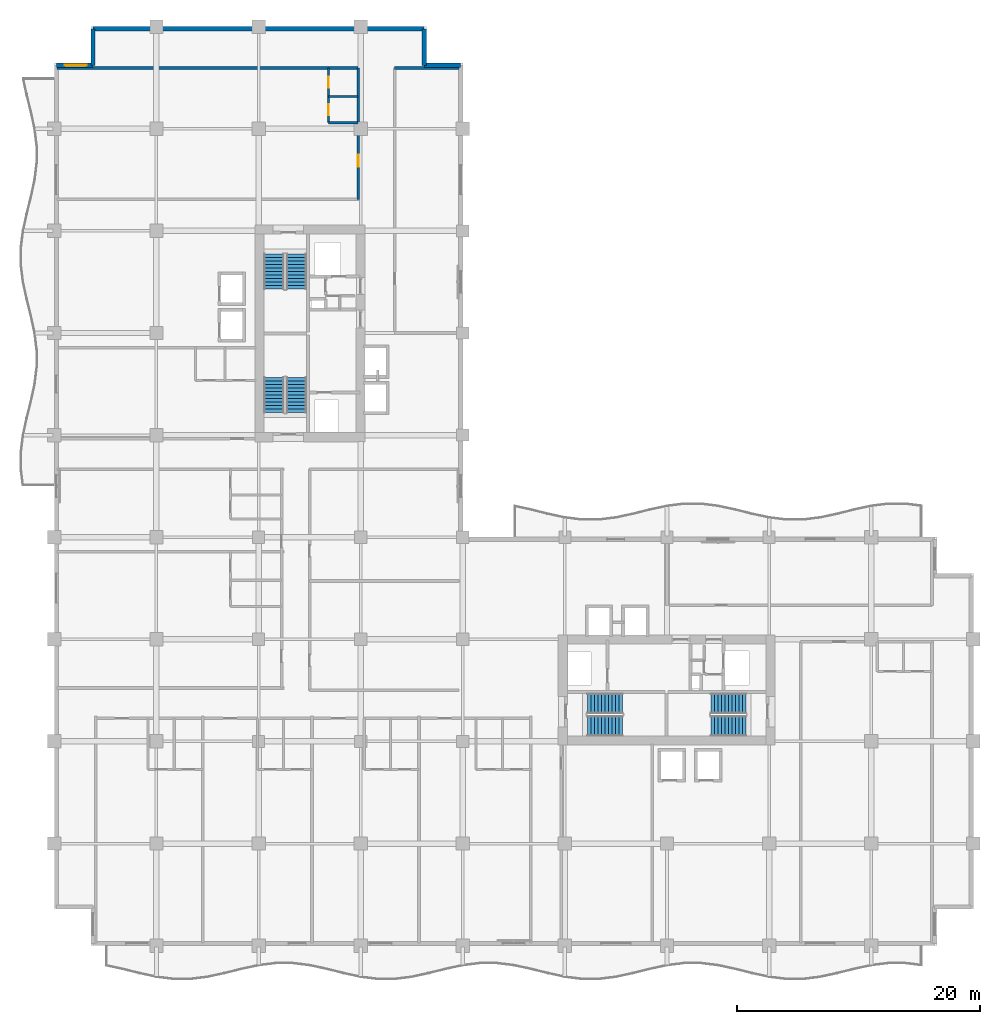
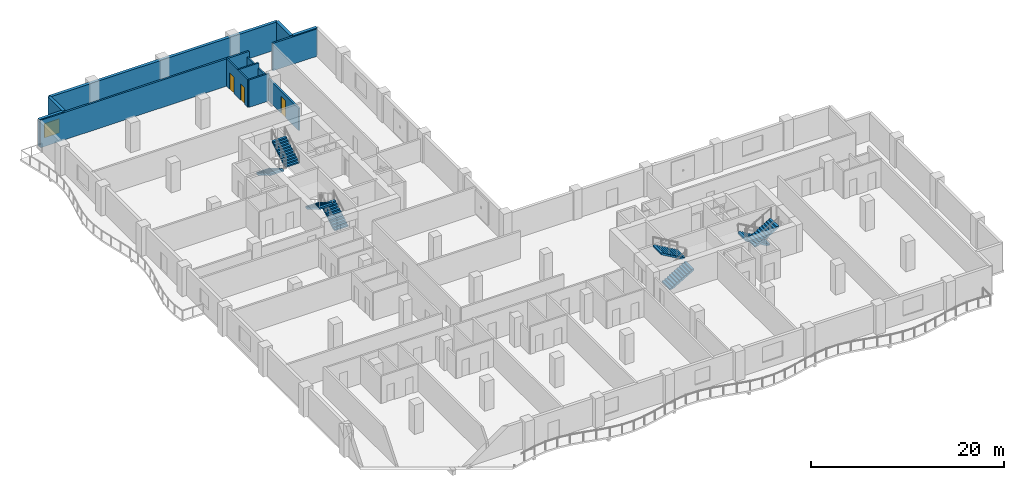
# One storey, part 10 of 16: 11 walls, 8 stair flights, 3 doors, 1 window, 4 openings, 4 elements without a shape of their own.
"""IFC4 building model written with IfcOpenShell, lengths in metres."""

from ifc_helpers import new_model, si_unit, direction, frame, frame_2d, origin, place, context, subcontext, project, spatial, polyline, rectangle, outline, extrude, material, layer, layer_set, type_object, element, fill, aggregate, save


model = new_model("IFC4")

# Units and contexts
model_context = context("Model", 3, precision=1e-05, world=origin(), true_north=direction((0.0, 1.0)))
body_context = subcontext(model_context, "Body", "Model", "MODEL_VIEW")
ifc_project = project(units=[si_unit("LENGTHUNIT", "METRE"), si_unit("AREAUNIT", "SQUARE_METRE"), si_unit("VOLUMEUNIT", "CUBIC_METRE"), si_unit("PLANEANGLEUNIT", "RADIAN"), si_unit("MASSUNIT", "GRAM", prefix="KILO")], contexts=[model_context])

# Site, building, storey
site_placement = place(None, origin())
site = spatial("IfcSite", under=ifc_project, at=site_placement, CompositionType="ELEMENT")
building_placement = place(site_placement, origin())
building = spatial("IfcBuilding", under=site, at=building_placement, Name="Koriwani Terraces Tower", CompositionType="ELEMENT")
storey_placement = place(building_placement, frame((0.0, 0.0, 171.699951171875)))
storey = spatial("IfcBuildingStorey", under=building, at=storey_placement, Name="L41", CompositionType="ELEMENT", Elevation=171.699951171875)

# Wall, opening, door
ifc_material_1 = material(Name="Autoclaved Cellular Concrete Blockwork", Category="masonry")
ifc_layer_1 = layer(ifc_material_1, 0.199951171875, Name="Autoclaved Cellular Concrete Blockwork")
ifc_layer_set_1 = layer_set([ifc_layer_1], Name="Autoclaved Cellular Concrete Blockwork")
wall_type_1 = type_object("IfcWallType", Name="WALL_CORRIDOR_200", PredefinedType="PARTITIONING", material=ifc_layer_set_1)
wall_1_placement = place(storey_placement, frame((25.0, 61.39990234375, 0.0), z_axis=(0.0, 0.0, 1.0), x_axis=(0.0, 1.0, 0.0)))
wall_1 = element("IfcWall", 1, at=wall_1_placement, inside=storey, type_object=wall_type_1, Name="L41 Interior Wall WRCOR-L41-NE-0", PredefinedType="PARTITIONING", context=body_context, shape_type="SweptSolid", body=[
    extrude(rectangle(XDim=10.800048828125, YDim=0.199951171875, at=frame_2d((5.39990234375, 0.0))), origin(), (0.0, 0.0, 1.0), 2.820068359375),
])
opening_1_placement = place(wall_1_placement, frame((2.669921875, 0.0, 0.0)))
opening_1 = element("IfcOpeningElement", 2, at=opening_1_placement, cuts=wall_1, Name="Opening D-05", PredefinedType="OPENING", context=body_context, shape_type="SweptSolid", body=[
    extrude(rectangle(XDim=1.0, YDim=2.14990234375, at=frame_2d((0.5, 1.074951171875))), frame((0.0, 0.10986328125, 0.0), z_axis=(0.0, -1.0, 0.0), x_axis=(1.0, 0.0, 0.0)), (0.0, 0.0, 1.0), 0.219970703125),
])
ifc_material_2 = material(Name="Architectural Oak Fire Door", Category="wood")
door_type_1 = type_object("IfcDoorType", Name="DOOR_SUITE_ENTRY_1000X2150", OperationType="NOTDEFINED", PredefinedType="DOOR", material=ifc_material_2)
door_1_placement = place(opening_1_placement, origin())
door_1 = element("IfcDoor", 3, at=door_1_placement, inside=storey, type_object=door_type_1, Name="Apartment 41NE1 Entrance Door", OperationType="SINGLE_SWING_LEFT", OverallHeight=2.14990234375, OverallWidth=1.0, PredefinedType="DOOR", context=body_context, shape_type="SweptSolid", body=[
    extrude(rectangle(XDim=1.0, YDim=2.14990234375, at=frame_2d((0.5, 1.074951171875))), frame((0.0, 0.02490234375, 0.0), z_axis=(0.0, -1.0, 0.0), x_axis=(1.0, 0.0, 0.0)), (0.0, 0.0, 1.0), 0.050048828125),
])
fill(opening_1, door_1)

# Walls
ifc_layer_2 = layer(ifc_material_1, 0.219970703125, Name="Autoclaved Cellular Concrete Blockwork")
ifc_layer_set_2 = layer_set([ifc_layer_2], Name="Autoclaved Cellular Concrete Blockwork")
wall_type_2 = type_object("IfcWallType", Name="WALL_DEMISING_220", PredefinedType="PARTITIONING", material=ifc_layer_set_2)
wall_2_placement = place(storey_placement, frame((0.199951171875, 72.199951171875, 0.0), z_axis=(0.0, 0.0, 1.0), x_axis=(1.0, 0.0, 0.0)))
element("IfcWall", 4, at=wall_2_placement, inside=storey, type_object=wall_type_2, Name="L41 Interior Wall WRDEME-L41-NE", PredefinedType="PARTITIONING", context=body_context, shape_type="SweptSolid", body=[
    extrude(rectangle(XDim=24.97998046875, YDim=0.219970703125, at=frame_2d((12.489990234375, 0.0))), origin(), (0.0, 0.0, 1.0), 3.469970703125),
])
wall_3_placement = place(storey_placement, frame((28.0, 72.199951171875, 0.0), z_axis=(0.0, 0.0, 1.0), x_axis=(1.0, 0.0, 0.0)))
element("IfcWall", 5, at=wall_3_placement, inside=storey, type_object=wall_type_2, Name="L41 Interior Wall WNEC-N-L41", PredefinedType="PARTITIONING", context=body_context, shape_type="SweptSolid", body=[
    extrude(rectangle(XDim=5.300048828125, YDim=0.219970703125, at=frame_2d((2.64990234375, 0.0))), origin(), (0.0, 0.0, 1.0), 3.469970703125),
])

# Wall, opening, window
ifc_material_3 = material(Name="Concrete C50/60", Category="concrete")
ifc_layer_3 = layer(ifc_material_3, 0.35009765625, Name="Concrete C50/60")
ifc_layer_set_3 = layer_set([ifc_layer_3], Name="Concrete C50/60")
wall_type_3 = type_object("IfcWallType", Name="WALL_EXT_BRUTALIST_350", PredefinedType="STANDARD", material=ifc_layer_set_3)
wall_4_placement = place(storey_placement, frame((0.175048828125, 72.425048828125, 0.0), z_axis=(0.0, 0.0, 1.0), x_axis=(1.0, 0.0, 0.0)))
wall_4 = element("IfcWall", 6, at=wall_4_placement, inside=storey, type_object=wall_type_3, Name="L41 Fair-Faced Brutalist Exterior Wall (N3)", PredefinedType="STANDARD", context=body_context, shape_type="SweptSolid", body=[
    extrude(rectangle(XDim=3.0, YDim=0.35009765625, at=frame_2d((1.5, 0.0))), origin(), (0.0, 0.0, 1.0), 3.469970703125),
])
opening_2_placement = place(wall_4_placement, frame((0.677490234375, 0.0, 0.85009765625)))
opening_2 = element("IfcOpeningElement", 7, at=opening_2_placement, cuts=wall_4, Name="Opening W-04", PredefinedType="OPENING", context=body_context, shape_type="SweptSolid", body=[
    extrude(rectangle(XDim=1.800048828125, YDim=1.800048828125, at=frame_2d((0.89990234375, 0.89990234375))), frame((0.0, 0.18505859375, 0.0), z_axis=(0.0, -1.0, 0.0), x_axis=(1.0, 0.0, 0.0)), (0.0, 0.0, 1.0), 0.3701171875),
])
ifc_material_4 = material(Name="Tempered Laminated Low-E Glass", Category="glass")
window_type = type_object("IfcWindowType", Name="WIN_RES_BED_1800X1800", PartitioningType="DOUBLE_PANEL_VERTICAL", PredefinedType="WINDOW", material=ifc_material_4)
window_placement = place(opening_2_placement, origin())
window = element("IfcWindow", 8, at=window_placement, inside=storey, type_object=window_type, Name="L41 Exterior Window (N3-R52)", OverallHeight=1.800048828125, OverallWidth=1.800048828125, PartitioningType="SINGLE_PANEL", PredefinedType="WINDOW", context=body_context, shape_type="SweptSolid", body=[
    extrude(rectangle(XDim=1.800048828125, YDim=1.800048828125, at=frame_2d((0.89990234375, 0.89990234375))), frame((0.0, 0.030029296875, 0.0), z_axis=(0.0, -1.0, 0.0), x_axis=(1.0, 0.0, 0.0)), (0.0, 0.0, 1.0), 0.06005859375),
])
fill(opening_2, window)

# Walls
wall_5_placement = place(storey_placement, frame((3.175048828125, 72.425048828125, 0.0), z_axis=(0.0, 0.0, 1.0), x_axis=(0.0, 1.0, 0.0)))
element("IfcWall", 9, at=wall_5_placement, inside=storey, type_object=wall_type_3, Name="L41 Fair-Faced Brutalist Exterior Wall (N4)", PredefinedType="STANDARD", context=body_context, shape_type="SweptSolid", body=[
    extrude(rectangle(XDim=3.0, YDim=0.35009765625, at=frame_2d((1.5, 0.0))), origin(), (0.0, 0.0, 1.0), 3.469970703125),
])
wall_6_placement = place(storey_placement, frame((3.175048828125, 75.425048828125, 0.0), z_axis=(0.0, 0.0, 1.0), x_axis=(1.0, 0.0, 0.0)))
element("IfcWall", 10, at=wall_6_placement, inside=storey, type_object=wall_type_3, Name="L41 Fair-Faced Brutalist Exterior Wall (N_TIP)", PredefinedType="STANDARD", context=body_context, shape_type="SweptSolid", body=[
    extrude(rectangle(XDim=27.25, YDim=0.35009765625, at=frame_2d((13.625, 0.0))), origin(), (0.0, 0.0, 1.0), 3.469970703125),
])
for number, where, z_axis, x_axis, name in (
    (11, (30.425048828125, 75.425048828125, 0.0), (0.0, 0.0, 1.0), (0.0, -1.0, 0.0), "L41 Fair-Faced Brutalist Exterior Wall (N6)"),
    (12, (30.425048828125, 72.425048828125, 0.0), (0.0, 0.0, 1.0), (1.0, 0.0, 0.0), "L41 Fair-Faced Brutalist Exterior Wall (N7)"),
):
    element("IfcWall", number, at=place(storey_placement, frame(where, z_axis=z_axis, x_axis=x_axis)), inside=storey, type_object=wall_type_3, Name=name, PredefinedType="STANDARD", context=body_context, shape_type="SweptSolid", body=[
        extrude(rectangle(XDim=3.0, YDim=0.35009765625, at=frame_2d((1.5, 0.0))), origin(), (0.0, 0.0, 1.0), 3.469970703125),
    ])

# Wall, openings, doors
ifc_material_5 = material(Name="Fire-Rated Acoustic Gypsum Partition", Category="masonry")
ifc_layer_4 = layer(ifc_material_5, 0.179931640625, Name="Fire-Rated Acoustic Gypsum Partition")
ifc_layer_set_4 = layer_set([ifc_layer_4], Name="Fire-Rated Acoustic Gypsum Partition")
wall_type_4 = type_object("IfcWallType", Name="WALL_PLUMBING_180", PredefinedType="PLUMBINGWALL", material=ifc_layer_set_4)
wall_7_placement = place(storey_placement, frame((22.550048828125, 67.699951171875, 0.0), z_axis=(0.0, 0.0, 1.0), x_axis=(0.0, 1.0, 0.0)))
wall_7 = element("IfcWall", 13, at=wall_7_placement, inside=storey, type_object=wall_type_4, Name="L41 Interior Wall WRSVC-L41-NE-0", PredefinedType="PLUMBINGWALL", context=body_context, shape_type="SweptSolid", body=[
    extrude(rectangle(XDim=4.5, YDim=0.179931640625, at=frame_2d((2.25, 0.0))), origin(), (0.0, 0.0, 1.0), 3.469970703125),
])
opening_3_placement = place(wall_7_placement, frame((0.6298828125, 0.0, 0.0)))
opening_3 = element("IfcOpeningElement", 14, at=opening_3_placement, cuts=wall_7, Name="Opening D-07", PredefinedType="OPENING", context=body_context, shape_type="SweptSolid", body=[
    extrude(rectangle(XDim=0.89990234375, YDim=2.10009765625, at=frame_2d((0.449951171875, 1.050048828125))), frame((0.0, 0.10009765625, 0.0), z_axis=(0.0, -1.0, 0.0), x_axis=(1.0, 0.0, 0.0)), (0.0, 0.0, 1.0), 0.199951171875),
])
opening_4_placement = place(wall_7_placement, frame((2.8701171875, 0.0, 0.0)))
opening_4 = element("IfcOpeningElement", 15, at=opening_4_placement, cuts=wall_7, Name="Opening D-06", PredefinedType="OPENING", context=body_context, shape_type="SweptSolid", body=[
    extrude(rectangle(XDim=0.919921875, YDim=2.10009765625, at=frame_2d((0.4599609375, 1.050048828125))), frame((0.0, 0.10009765625, 0.0), z_axis=(0.0, -1.0, 0.0), x_axis=(1.0, 0.0, 0.0)), (0.0, 0.0, 1.0), 0.199951171875),
])
door_type_2 = type_object("IfcDoorType", Name="DOOR_BATH_INT_900X2100", OperationType="NOTDEFINED", PredefinedType="DOOR", material=ifc_material_2)
door_2_placement = place(opening_3_placement, origin())
door_2 = element("IfcDoor", 16, at=door_2_placement, inside=storey, type_object=door_type_2, Name="Apartment 41NE1 Bathroom Door", OperationType="SINGLE_SWING_RIGHT", OverallHeight=2.10009765625, OverallWidth=0.89990234375, PredefinedType="DOOR", context=body_context, shape_type="SweptSolid", body=[
    extrude(rectangle(XDim=0.89990234375, YDim=2.10009765625, at=frame_2d((0.449951171875, 1.050048828125))), frame((0.0, 0.02490234375, 0.0), z_axis=(0.0, -1.0, 0.0), x_axis=(1.0, 0.0, 0.0)), (0.0, 0.0, 1.0), 0.050048828125),
])
fill(opening_3, door_2)
door_type_3 = type_object("IfcDoorType", Name="DOOR_ROOM_INT_920X2100", OperationType="NOTDEFINED", PredefinedType="DOOR", material=ifc_material_2)
door_3_placement = place(opening_4_placement, origin())
door_3 = element("IfcDoor", 17, at=door_3_placement, inside=storey, type_object=door_type_3, Name="Apartment 41NE1 Kitchen Door", OperationType="SINGLE_SWING_LEFT", OverallHeight=2.10009765625, OverallWidth=0.919921875, PredefinedType="DOOR", context=body_context, shape_type="SweptSolid", body=[
    extrude(rectangle(XDim=0.919921875, YDim=2.10009765625, at=frame_2d((0.4599609375, 1.050048828125))), frame((0.0, 0.02490234375, 0.0), z_axis=(0.0, -1.0, 0.0), x_axis=(1.0, 0.0, 0.0)), (0.0, 0.0, 1.0), 0.050048828125),
])
fill(opening_4, door_3)

# Walls
for number, where, z_axis, x_axis, name in (
    (18, (22.550048828125, 67.699951171875, 0.0), (0.0, 0.0, 1.0), (1.0, 0.0, 0.0), "L41 Interior Wall WRSVCS-L41-NE-0"),
    (19, (22.550048828125, 69.860107421875, 0.0), (0.0, 0.0, 1.0), (1.0, 0.0, 0.0), "L41 Interior Wall WRSVCM-L41-NE-0"),
):
    element("IfcWall", number, at=place(storey_placement, frame(where, z_axis=z_axis, x_axis=x_axis)), inside=storey, type_object=wall_type_4, Name=name, PredefinedType="PLUMBINGWALL", context=body_context, shape_type="SweptSolid", body=[
        extrude(rectangle(XDim=2.449951171875, YDim=0.179931640625, at=frame_2d((1.22509765625, 0.0))), origin(), (0.0, 0.0, 1.0), 3.469970703125),
    ])

# Stair, stair flights
ifc_material_6 = material(Name="Concrete C40/50", Category="concrete")
stair_type = type_object("IfcStairType", Name="STAIR_CORE_DOGLEG_1650", PredefinedType="TWO_STRAIGHT_RUN_STAIR", material=ifc_material_6)
stair_1_placement = place(storey_placement, origin())
stair_1 = element("IfcStair", 20, at=stair_1_placement, inside=storey, type_object=stair_type, Name="L41 West Core Exit Stair 1", PredefinedType="HALF_TURN_STAIR")
stair_flight_type = type_object("IfcStairFlightType", Name="STAIR_FLIGHT_RC_1650", PredefinedType="STRAIGHT", material=ifc_material_6)
stair_flight_1_placement = place(storey_placement, frame((19.925048828125, 43.85009765625, 0.0), z_axis=(0.0, 0.0, 1.0), x_axis=(0.0, 1.0, 0.0)))
stair_flight_1 = element("IfcStairFlight", 21, at=stair_flight_1_placement, type_object=stair_flight_type, Name="ST-W1 flight 1", NumberOfRisers=11, NumberOfTreads=10, PredefinedType="STRAIGHT", RiserHeight=0.168181818, TreadLength=0.29, context=body_context, shape_type="SweptSolid", body=[
    extrude(outline(polyline([(0.0, 0.0), (0.0, 0.168212890625), (0.2900390625, 0.168212890625), (0.2900390625, 0.33642578125), (0.580078125, 0.33642578125), (0.580078125, 0.504638671875), (0.8701171875, 0.504638671875), (0.8701171875, 0.672607421875), (1.159912109375, 0.672607421875), (1.159912109375, 0.8408203125), (1.449951171875, 0.8408203125), (1.449951171875, 1.009033203125), (1.739990234375, 1.009033203125), (1.739990234375, 1.17724609375), (2.030029296875, 1.17724609375), (2.030029296875, 1.345458984375), (2.320068359375, 1.345458984375), (2.320068359375, 1.513671875), (2.610107421875, 1.513671875), (2.610107421875, 1.681884765625), (2.89990234375, 1.681884765625), (2.89990234375, 1.85009765625), (2.89990234375, 1.473876953125), (0.358642578125, 0.0), (0.0, 0.0)])), frame((0.0, 0.824951171875, 0.0), z_axis=(0.0, -1.0, 0.0), x_axis=(1.0, 0.0, 0.0)), (0.0, 0.0, 1.0), 1.64990234375),
])
stair_flight_2_placement = place(storey_placement, frame((18.074951171875, 46.75, 1.85009765625), z_axis=(0.0, 0.0, 1.0), x_axis=(0.0, -1.0, 0.0)))
stair_flight_2 = element("IfcStairFlight", 22, at=stair_flight_2_placement, type_object=stair_flight_type, Name="ST-W1 flight 2", NumberOfRisers=11, NumberOfTreads=10, PredefinedType="STRAIGHT", RiserHeight=0.168181818, TreadLength=0.29, context=body_context, shape_type="SweptSolid", body=[
    extrude(outline(polyline([(0.0, 0.0), (0.0, 0.168212890625), (0.2900390625, 0.168212890625), (0.2900390625, 0.33642578125), (0.580078125, 0.33642578125), (0.580078125, 0.504638671875), (0.8701171875, 0.504638671875), (0.8701171875, 0.672607421875), (1.159912109375, 0.672607421875), (1.159912109375, 0.8408203125), (1.449951171875, 0.8408203125), (1.449951171875, 1.009033203125), (1.739990234375, 1.009033203125), (1.739990234375, 1.17724609375), (2.030029296875, 1.17724609375), (2.030029296875, 1.345458984375), (2.320068359375, 1.345458984375), (2.320068359375, 1.513671875), (2.610107421875, 1.513671875), (2.610107421875, 1.681884765625), (2.89990234375, 1.681884765625), (2.89990234375, 1.85009765625), (2.89990234375, 1.473876953125), (0.358642578125, 0.0), (0.0, 0.0)])), frame((0.0, 0.824951171875, 0.0), z_axis=(0.0, -1.0, 0.0), x_axis=(1.0, 0.0, 0.0)), (0.0, 0.0, 1.0), 1.64990234375),
])
aggregate(stair_1, [stair_flight_1, stair_flight_2])

stair_2_placement = place(storey_placement, origin())
stair_2 = element("IfcStair", 23, at=stair_2_placement, inside=storey, type_object=stair_type, Name="L41 West Core Exit Stair 2", PredefinedType="HALF_TURN_STAIR")
stair_flight_3_placement = place(storey_placement, frame((18.074951171875, 56.89990234375, 0.0), z_axis=(0.0, 0.0, 1.0), x_axis=(0.0, -1.0, 0.0)))
stair_flight_3 = element("IfcStairFlight", 24, at=stair_flight_3_placement, type_object=stair_flight_type, Name="ST-W2 flight 1", NumberOfRisers=11, NumberOfTreads=10, PredefinedType="STRAIGHT", RiserHeight=0.168181818, TreadLength=0.29, context=body_context, shape_type="SweptSolid", body=[
    extrude(outline(polyline([(0.0, 0.0), (0.0, 0.168212890625), (0.2900390625, 0.168212890625), (0.2900390625, 0.33642578125), (0.580078125, 0.33642578125), (0.580078125, 0.504638671875), (0.8701171875, 0.504638671875), (0.8701171875, 0.672607421875), (1.159912109375, 0.672607421875), (1.159912109375, 0.8408203125), (1.449951171875, 0.8408203125), (1.449951171875, 1.009033203125), (1.739990234375, 1.009033203125), (1.739990234375, 1.17724609375), (2.030029296875, 1.17724609375), (2.030029296875, 1.345458984375), (2.320068359375, 1.345458984375), (2.320068359375, 1.513671875), (2.610107421875, 1.513671875), (2.610107421875, 1.681884765625), (2.89990234375, 1.681884765625), (2.89990234375, 1.85009765625), (2.89990234375, 1.473876953125), (0.358642578125, 0.0), (0.0, 0.0)])), frame((0.0, 0.824951171875, 0.0), z_axis=(0.0, -1.0, 0.0), x_axis=(1.0, 0.0, 0.0)), (0.0, 0.0, 1.0), 1.64990234375),
])
stair_flight_4_placement = place(storey_placement, frame((19.925048828125, 54.0, 1.85009765625), z_axis=(0.0, 0.0, 1.0), x_axis=(0.0, 1.0, 0.0)))
stair_flight_4 = element("IfcStairFlight", 25, at=stair_flight_4_placement, type_object=stair_flight_type, Name="ST-W2 flight 2", NumberOfRisers=11, NumberOfTreads=10, PredefinedType="STRAIGHT", RiserHeight=0.168181818, TreadLength=0.29, context=body_context, shape_type="SweptSolid", body=[
    extrude(outline(polyline([(0.0, 0.0), (0.0, 0.168212890625), (0.2900390625, 0.168212890625), (0.2900390625, 0.33642578125), (0.580078125, 0.33642578125), (0.580078125, 0.504638671875), (0.8701171875, 0.504638671875), (0.8701171875, 0.672607421875), (1.159912109375, 0.672607421875), (1.159912109375, 0.8408203125), (1.449951171875, 0.8408203125), (1.449951171875, 1.009033203125), (1.739990234375, 1.009033203125), (1.739990234375, 1.17724609375), (2.030029296875, 1.17724609375), (2.030029296875, 1.345458984375), (2.320068359375, 1.345458984375), (2.320068359375, 1.513671875), (2.610107421875, 1.513671875), (2.610107421875, 1.681884765625), (2.89990234375, 1.681884765625), (2.89990234375, 1.85009765625), (2.89990234375, 1.473876953125), (0.358642578125, 0.0), (0.0, 0.0)])), frame((0.0, 0.824951171875, 0.0), z_axis=(0.0, -1.0, 0.0), x_axis=(1.0, 0.0, 0.0)), (0.0, 0.0, 1.0), 1.64990234375),
])
aggregate(stair_2, [stair_flight_3, stair_flight_4])

stair_3_placement = place(storey_placement, origin())
stair_3 = element("IfcStair", 26, at=stair_3_placement, inside=storey, type_object=stair_type, Name="L41 East Core Exit Stair 1", PredefinedType="HALF_TURN_STAIR")
stair_flight_5_placement = place(storey_placement, frame((43.85009765625, 18.074951171875, 0.0), z_axis=(0.0, 0.0, 1.0), x_axis=(1.0, 0.0, 0.0)))
stair_flight_5 = element("IfcStairFlight", 27, at=stair_flight_5_placement, type_object=stair_flight_type, Name="ST-E1 flight 1", NumberOfRisers=11, NumberOfTreads=10, PredefinedType="STRAIGHT", RiserHeight=0.168181818, TreadLength=0.29, context=body_context, shape_type="SweptSolid", body=[
    extrude(outline(polyline([(0.0, 0.0), (0.0, 0.168212890625), (0.2900390625, 0.168212890625), (0.2900390625, 0.33642578125), (0.580078125, 0.33642578125), (0.580078125, 0.504638671875), (0.8701171875, 0.504638671875), (0.8701171875, 0.672607421875), (1.159912109375, 0.672607421875), (1.159912109375, 0.8408203125), (1.449951171875, 0.8408203125), (1.449951171875, 1.009033203125), (1.739990234375, 1.009033203125), (1.739990234375, 1.17724609375), (2.030029296875, 1.17724609375), (2.030029296875, 1.345458984375), (2.320068359375, 1.345458984375), (2.320068359375, 1.513671875), (2.610107421875, 1.513671875), (2.610107421875, 1.681884765625), (2.89990234375, 1.681884765625), (2.89990234375, 1.85009765625), (2.89990234375, 1.473876953125), (0.358642578125, 0.0), (0.0, 0.0)])), frame((0.0, 0.824951171875, 0.0), z_axis=(0.0, -1.0, 0.0), x_axis=(1.0, 0.0, 0.0)), (0.0, 0.0, 1.0), 1.64990234375),
])
stair_flight_6_placement = place(storey_placement, frame((46.75, 19.925048828125, 1.85009765625), z_axis=(0.0, 0.0, 1.0), x_axis=(-1.0, 0.0, 0.0)))
stair_flight_6 = element("IfcStairFlight", 28, at=stair_flight_6_placement, type_object=stair_flight_type, Name="ST-E1 flight 2", NumberOfRisers=11, NumberOfTreads=10, PredefinedType="STRAIGHT", RiserHeight=0.168181818, TreadLength=0.29, context=body_context, shape_type="SweptSolid", body=[
    extrude(outline(polyline([(0.0, 0.0), (0.0, 0.168212890625), (0.2900390625, 0.168212890625), (0.2900390625, 0.33642578125), (0.580078125, 0.33642578125), (0.580078125, 0.504638671875), (0.8701171875, 0.504638671875), (0.8701171875, 0.672607421875), (1.159912109375, 0.672607421875), (1.159912109375, 0.8408203125), (1.449951171875, 0.8408203125), (1.449951171875, 1.009033203125), (1.739990234375, 1.009033203125), (1.739990234375, 1.17724609375), (2.030029296875, 1.17724609375), (2.030029296875, 1.345458984375), (2.320068359375, 1.345458984375), (2.320068359375, 1.513671875), (2.610107421875, 1.513671875), (2.610107421875, 1.681884765625), (2.89990234375, 1.681884765625), (2.89990234375, 1.85009765625), (2.89990234375, 1.473876953125), (0.358642578125, 0.0), (0.0, 0.0)])), frame((0.0, 0.824951171875, 0.0), z_axis=(0.0, -1.0, 0.0), x_axis=(1.0, 0.0, 0.0)), (0.0, 0.0, 1.0), 1.64990234375),
])
aggregate(stair_3, [stair_flight_5, stair_flight_6])

stair_4_placement = place(storey_placement, origin())
stair_4 = element("IfcStair", 29, at=stair_4_placement, inside=storey, type_object=stair_type, Name="L41 East Core Exit Stair 2", PredefinedType="HALF_TURN_STAIR")
stair_flight_7_placement = place(storey_placement, frame((56.89990234375, 19.925048828125, 0.0), z_axis=(0.0, 0.0, 1.0), x_axis=(-1.0, 0.0, 0.0)))
stair_flight_7 = element("IfcStairFlight", 30, at=stair_flight_7_placement, type_object=stair_flight_type, Name="ST-E2 flight 1", NumberOfRisers=11, NumberOfTreads=10, PredefinedType="STRAIGHT", RiserHeight=0.168181818, TreadLength=0.29, context=body_context, shape_type="SweptSolid", body=[
    extrude(outline(polyline([(0.0, 0.0), (0.0, 0.168212890625), (0.2900390625, 0.168212890625), (0.2900390625, 0.33642578125), (0.580078125, 0.33642578125), (0.580078125, 0.504638671875), (0.8701171875, 0.504638671875), (0.8701171875, 0.672607421875), (1.159912109375, 0.672607421875), (1.159912109375, 0.8408203125), (1.449951171875, 0.8408203125), (1.449951171875, 1.009033203125), (1.739990234375, 1.009033203125), (1.739990234375, 1.17724609375), (2.030029296875, 1.17724609375), (2.030029296875, 1.345458984375), (2.320068359375, 1.345458984375), (2.320068359375, 1.513671875), (2.610107421875, 1.513671875), (2.610107421875, 1.681884765625), (2.89990234375, 1.681884765625), (2.89990234375, 1.85009765625), (2.89990234375, 1.473876953125), (0.358642578125, 0.0), (0.0, 0.0)])), frame((0.0, 0.824951171875, 0.0), z_axis=(0.0, -1.0, 0.0), x_axis=(1.0, 0.0, 0.0)), (0.0, 0.0, 1.0), 1.64990234375),
])
stair_flight_8_placement = place(storey_placement, frame((54.0, 18.074951171875, 1.85009765625), z_axis=(0.0, 0.0, 1.0), x_axis=(1.0, 0.0, 0.0)))
stair_flight_8 = element("IfcStairFlight", 31, at=stair_flight_8_placement, type_object=stair_flight_type, Name="ST-E2 flight 2", NumberOfRisers=11, NumberOfTreads=10, PredefinedType="STRAIGHT", RiserHeight=0.168181818, TreadLength=0.29, context=body_context, shape_type="SweptSolid", body=[
    extrude(outline(polyline([(0.0, 0.0), (0.0, 0.168212890625), (0.2900390625, 0.168212890625), (0.2900390625, 0.33642578125), (0.580078125, 0.33642578125), (0.580078125, 0.504638671875), (0.8701171875, 0.504638671875), (0.8701171875, 0.672607421875), (1.159912109375, 0.672607421875), (1.159912109375, 0.8408203125), (1.449951171875, 0.8408203125), (1.449951171875, 1.009033203125), (1.739990234375, 1.009033203125), (1.739990234375, 1.17724609375), (2.030029296875, 1.17724609375), (2.030029296875, 1.345458984375), (2.320068359375, 1.345458984375), (2.320068359375, 1.513671875), (2.610107421875, 1.513671875), (2.610107421875, 1.681884765625), (2.89990234375, 1.681884765625), (2.89990234375, 1.85009765625), (2.89990234375, 1.473876953125), (0.358642578125, 0.0), (0.0, 0.0)])), frame((0.0, 0.824951171875, 0.0), z_axis=(0.0, -1.0, 0.0), x_axis=(1.0, 0.0, 0.0)), (0.0, 0.0, 1.0), 1.64990234375),
])
aggregate(stair_4, [stair_flight_7, stair_flight_8])

save(model, "model.ifc")
